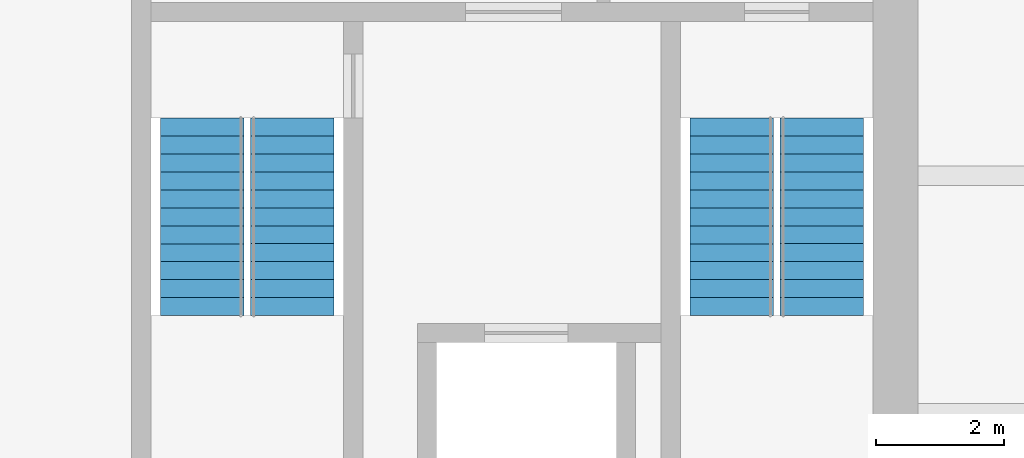
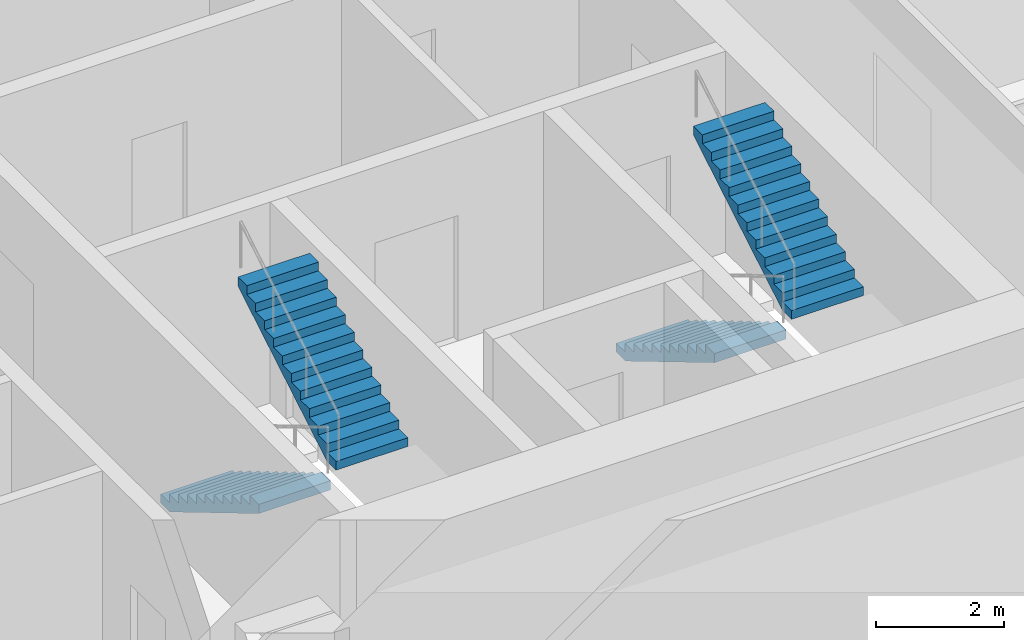
# One storey, part 12 of 13: 4 stair flights, 2 elements without a shape of their own.
"""IFC4 building model written with IfcOpenShell, lengths in metres."""

from ifc_helpers import new_model, si_unit, direction, frame, origin, place, context, subcontext, project, spatial, polyline, outline, extrude, material, type_object, element, aggregate, save


model = new_model("IFC4")

# Units and contexts
model_context = context("Model", 3, precision=1e-05, world=origin(), true_north=direction((0.0, 1.0)))
body_context = subcontext(model_context, "Body", "Model", "MODEL_VIEW")
ifc_project = project(units=[si_unit("LENGTHUNIT", "METRE"), si_unit("AREAUNIT", "SQUARE_METRE"), si_unit("VOLUMEUNIT", "CUBIC_METRE"), si_unit("PLANEANGLEUNIT", "RADIAN"), si_unit("MASSUNIT", "GRAM", prefix="KILO")], contexts=[model_context])

# Site, building, storey
site_placement = place(None, origin())
site = spatial("IfcSite", under=ifc_project, at=site_placement, CompositionType="ELEMENT")
building_placement = place(site_placement, origin())
building = spatial("IfcBuilding", under=site, at=building_placement, Name="Rimbunsela Tower", CompositionType="ELEMENT")
storey_placement = place(building_placement, frame((0.0, 0.0, 218.199951171875)))
storey = spatial("IfcBuildingStorey", under=building, at=storey_placement, Name="L52", CompositionType="ELEMENT", Elevation=218.199951171875)

# Stair, stair flights
ifc_material_1 = material(Name="Concrete fc' 35 MPa", Category="concrete")
stair_type = type_object("IfcStairType", Name="Exit stair 24 risers", PredefinedType="HALF_TURN_STAIR", material=ifc_material_1)
stair_1_placement = place(storey_placement, origin())
stair_1 = element("IfcStair", 1, at=stair_1_placement, inside=storey, type_object=stair_type, Name="Exit stair A L52", PredefinedType="HALF_TURN_STAIR")
ifc_material_2 = material(Name="Concrete fc' 35 MPa", Category="concrete")
stair_flight_type = type_object("IfcStairFlightType", Name="Stair flight 12 risers 167", PredefinedType="STRAIGHT", material=ifc_material_2)
stair_flight_1_placement = place(storey_placement, frame((24.949951171875, 24.89990234375, 0.0), z_axis=(0.0, 0.0, 1.0), x_axis=(0.0, -1.0, 0.0)))
stair_flight_1 = element("IfcStairFlight", 2, at=stair_flight_1_placement, type_object=stair_flight_type, Name="ST-A flight 1", NumberOfRisers=12, NumberOfTreads=11, PredefinedType="STRAIGHT", RiserHeight=0.166666667, TreadLength=0.28, context=body_context, shape_type="SweptSolid", body=[
    extrude(outline(polyline([(0.0, 0.0), (0.0, 0.166748046875), (0.280029296875, 0.166748046875), (0.280029296875, 0.333251953125), (0.56005859375, 0.333251953125), (0.56005859375, 0.5), (0.840087890625, 0.5), (0.840087890625, 0.666748046875), (1.1201171875, 0.666748046875), (1.1201171875, 0.833251953125), (1.39990234375, 0.833251953125), (1.39990234375, 1.0), (1.679931640625, 1.0), (1.679931640625, 1.166748046875), (1.9599609375, 1.166748046875), (1.9599609375, 1.333251953125), (2.239990234375, 1.333251953125), (2.239990234375, 1.5), (2.52001953125, 1.5), (2.52001953125, 1.666748046875), (2.800048828125, 1.666748046875), (2.800048828125, 1.833251953125), (3.080078125, 1.833251953125), (3.080078125, 2.0), (3.080078125, 1.658935546875), (0.29296875, 0.0), (0.0, 0.0)])), frame((0.0, 0.64990234375, 0.0), z_axis=(0.0, -1.0, 0.0), x_axis=(1.0, 0.0, 0.0)), (0.0, 0.0, 1.0), 1.300048828125),
])
stair_flight_2_placement = place(storey_placement, frame((26.35009765625, 21.820068359375, 2.0), z_axis=(0.0, 0.0, 1.0), x_axis=(0.0, 1.0, 0.0)))
stair_flight_2 = element("IfcStairFlight", 3, at=stair_flight_2_placement, type_object=stair_flight_type, Name="ST-A flight 2", NumberOfRisers=12, NumberOfTreads=11, PredefinedType="STRAIGHT", RiserHeight=0.166666667, TreadLength=0.28, context=body_context, shape_type="SweptSolid", body=[
    extrude(outline(polyline([(0.0, 0.0), (0.0, 0.166748046875), (0.280029296875, 0.166748046875), (0.280029296875, 0.333251953125), (0.56005859375, 0.333251953125), (0.56005859375, 0.5), (0.840087890625, 0.5), (0.840087890625, 0.666748046875), (1.1201171875, 0.666748046875), (1.1201171875, 0.833251953125), (1.39990234375, 0.833251953125), (1.39990234375, 1.0), (1.679931640625, 1.0), (1.679931640625, 1.166748046875), (1.9599609375, 1.166748046875), (1.9599609375, 1.333251953125), (2.239990234375, 1.333251953125), (2.239990234375, 1.5), (2.52001953125, 1.5), (2.52001953125, 1.666748046875), (2.800048828125, 1.666748046875), (2.800048828125, 1.833251953125), (3.080078125, 1.833251953125), (3.080078125, 2.0), (3.080078125, 1.658935546875), (0.29296875, 0.0), (0.0, 0.0)])), frame((0.0, 0.64990234375, 0.0), z_axis=(0.0, -1.0, 0.0), x_axis=(1.0, 0.0, 0.0)), (0.0, 0.0, 1.0), 1.300048828125),
])
aggregate(stair_1, [stair_flight_1, stair_flight_2])

stair_2_placement = place(storey_placement, origin())
stair_2 = element("IfcStair", 4, at=stair_2_placement, inside=storey, type_object=stair_type, Name="Exit stair B L52", PredefinedType="HALF_TURN_STAIR")
stair_flight_3_placement = place(storey_placement, frame((33.199951171875, 24.89990234375, 0.0), z_axis=(0.0, 0.0, 1.0), x_axis=(0.0, -1.0, 0.0)))
stair_flight_3 = element("IfcStairFlight", 5, at=stair_flight_3_placement, type_object=stair_flight_type, Name="ST-B flight 1", NumberOfRisers=12, NumberOfTreads=11, PredefinedType="STRAIGHT", RiserHeight=0.166666667, TreadLength=0.28, context=body_context, shape_type="SweptSolid", body=[
    extrude(outline(polyline([(0.0, 0.0), (0.0, 0.166748046875), (0.280029296875, 0.166748046875), (0.280029296875, 0.333251953125), (0.56005859375, 0.333251953125), (0.56005859375, 0.5), (0.840087890625, 0.5), (0.840087890625, 0.666748046875), (1.1201171875, 0.666748046875), (1.1201171875, 0.833251953125), (1.39990234375, 0.833251953125), (1.39990234375, 1.0), (1.679931640625, 1.0), (1.679931640625, 1.166748046875), (1.9599609375, 1.166748046875), (1.9599609375, 1.333251953125), (2.239990234375, 1.333251953125), (2.239990234375, 1.5), (2.52001953125, 1.5), (2.52001953125, 1.666748046875), (2.800048828125, 1.666748046875), (2.800048828125, 1.833251953125), (3.080078125, 1.833251953125), (3.080078125, 2.0), (3.080078125, 1.658935546875), (0.29296875, 0.0), (0.0, 0.0)])), frame((0.0, 0.64990234375, 0.0), z_axis=(0.0, -1.0, 0.0), x_axis=(1.0, 0.0, 0.0)), (0.0, 0.0, 1.0), 1.300048828125),
])
stair_flight_4_placement = place(storey_placement, frame((34.60009765625, 21.820068359375, 2.0), z_axis=(0.0, 0.0, 1.0), x_axis=(0.0, 1.0, 0.0)))
stair_flight_4 = element("IfcStairFlight", 6, at=stair_flight_4_placement, type_object=stair_flight_type, Name="ST-B flight 2", NumberOfRisers=12, NumberOfTreads=11, PredefinedType="STRAIGHT", RiserHeight=0.166666667, TreadLength=0.28, context=body_context, shape_type="SweptSolid", body=[
    extrude(outline(polyline([(0.0, 0.0), (0.0, 0.166748046875), (0.280029296875, 0.166748046875), (0.280029296875, 0.333251953125), (0.56005859375, 0.333251953125), (0.56005859375, 0.5), (0.840087890625, 0.5), (0.840087890625, 0.666748046875), (1.1201171875, 0.666748046875), (1.1201171875, 0.833251953125), (1.39990234375, 0.833251953125), (1.39990234375, 1.0), (1.679931640625, 1.0), (1.679931640625, 1.166748046875), (1.9599609375, 1.166748046875), (1.9599609375, 1.333251953125), (2.239990234375, 1.333251953125), (2.239990234375, 1.5), (2.52001953125, 1.5), (2.52001953125, 1.666748046875), (2.800048828125, 1.666748046875), (2.800048828125, 1.833251953125), (3.080078125, 1.833251953125), (3.080078125, 2.0), (3.080078125, 1.658935546875), (0.29296875, 0.0), (0.0, 0.0)])), frame((0.0, 0.64990234375, 0.0), z_axis=(0.0, -1.0, 0.0), x_axis=(1.0, 0.0, 0.0)), (0.0, 0.0, 1.0), 1.300048828125),
])
aggregate(stair_2, [stair_flight_3, stair_flight_4])

save(model, "model.ifc")
